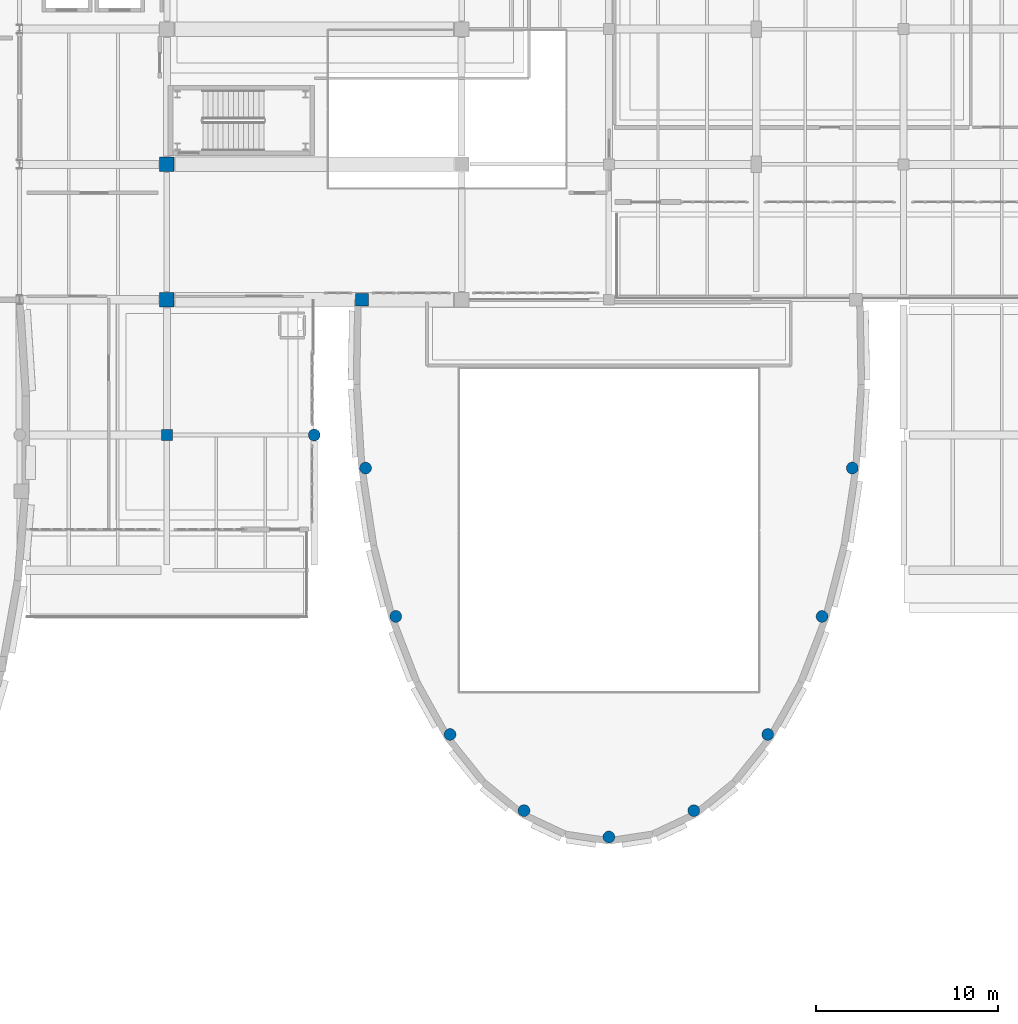
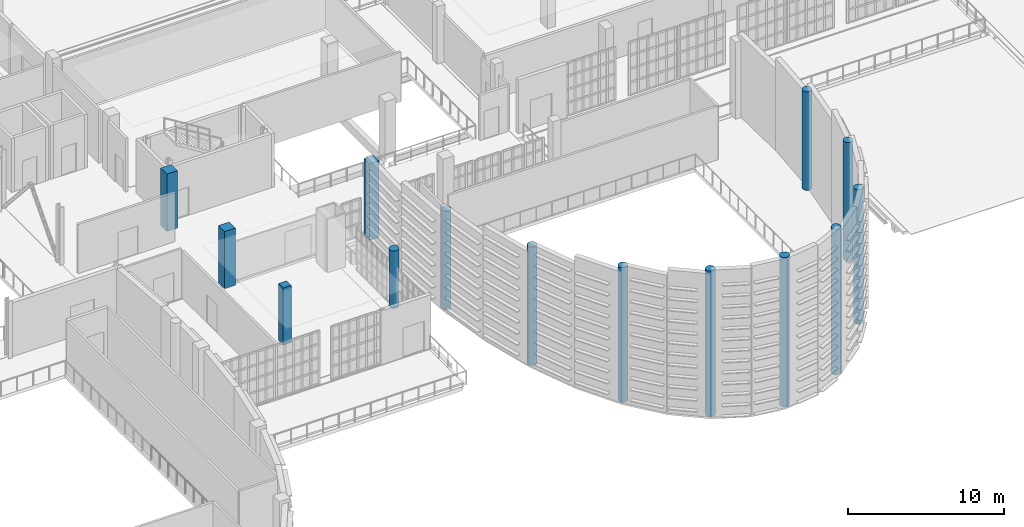
# One storey, part 3 of 73: 14 columns.
"""IFC4 building model written with IfcOpenShell, lengths in metres."""

from ifc_helpers import new_model, si_unit, direction, frame, origin, origin_2d, place, context, subcontext, project, spatial, rectangle, circle, extrude, material, material_profile, profile_set, type_object, element, save


model = new_model("IFC4")

# Units and contexts
model_context = context("Model", 3, precision=1e-05, world=origin(), true_north=direction((0.0, 1.0)))
body_context = subcontext(model_context, "Body", "Model", "MODEL_VIEW")
ifc_project = project(units=[si_unit("LENGTHUNIT", "METRE"), si_unit("AREAUNIT", "SQUARE_METRE"), si_unit("VOLUMEUNIT", "CUBIC_METRE"), si_unit("PLANEANGLEUNIT", "RADIAN"), si_unit("MASSUNIT", "GRAM", prefix="KILO")], contexts=[model_context])

# Site, building, storey
site_placement = place(None, origin())
site = spatial("IfcSite", under=ifc_project, at=site_placement, CompositionType="ELEMENT")
building_placement = place(site_placement, origin())
building = spatial("IfcBuilding", under=site, at=building_placement, Name="Kaelora Sail Theatre", CompositionType="ELEMENT")
storey_placement = place(building_placement, frame((0.0, 0.0, 10.199951171875)))
storey = spatial("IfcBuildingStorey", under=building, at=storey_placement, Name="L02", CompositionType="ELEMENT", Elevation=10.199951171875)

# Columns
ifc_material_1 = material(Name="Concrete C40/50", Category="concrete")
ifc_material_profile_1 = material_profile(ifc_material_1, rectangle(XDim=0.60009765625, YDim=0.60009765625, at=origin_2d()), Name="RC-COL 600x600")
ifc_profile_set_1 = profile_set([ifc_material_profile_1], Name="Concrete C40/50")
column_type_1 = type_object("IfcColumnType", Name="STR-COL-C-RC600", PredefinedType="COLUMN", material=ifc_profile_set_1)
column_1_placement = place(storey_placement, frame((66.300048828125, 53.580078125, 0.0), z_axis=(0.0, 0.0, 1.0), x_axis=(1.0, 0.0, 0.0)))
element("IfcColumn", 1, at=column_1_placement, inside=storey, type_object=column_type_1, Name="Column 9/H (L02)", PredefinedType="COLUMN", context=body_context, shape_type="SweptSolid", body=[
    extrude(rectangle(XDim=0.60009765625, YDim=0.60009765625, at=origin_2d()), origin(), (0.0, 0.0, 1.0), 4.5),
])
ifc_material_2 = material(Name="Concrete C45/55", Category="concrete")
ifc_material_profile_2 = material_profile(ifc_material_2, rectangle(XDim=0.699951171875, YDim=0.699951171875, at=origin_2d()), Name="RC-COL 700x700")
ifc_profile_set_2 = profile_set([ifc_material_profile_2], Name="Concrete C45/55")
column_type_2 = type_object("IfcColumnType", Name="STR-COL-C-RC700", PredefinedType="COLUMN", material=ifc_profile_set_2)
column_2_placement = place(storey_placement, frame((77.02001953125, 61.02001953125, 0.0), z_axis=(0.0, 0.0, 1.0), x_axis=(1.0, 0.0, 0.0)))
element("IfcColumn", 2, at=column_2_placement, inside=storey, type_object=column_type_2, Name="Studio Theatre north corner column NW (L02)", PredefinedType="COLUMN", context=body_context, shape_type="SweptSolid", body=[
    extrude(rectangle(XDim=0.699951171875, YDim=0.699951171875, at=origin_2d()), origin(), (0.0, 0.0, 1.0), 6.025146484375),
])
ifc_material_3 = material(Name="Concrete C50/60", Category="concrete")
ifc_material_profile_3 = material_profile(ifc_material_3, rectangle(XDim=0.800048828125, YDim=0.800048828125, at=origin_2d()), Name="RC-COL 800x800")
ifc_profile_set_3 = profile_set([ifc_material_profile_3], Name="Concrete C50/60")
column_type_3 = type_object("IfcColumnType", Name="STR-COL-C-RC800", PredefinedType="COLUMN", material=ifc_profile_set_3)
for number, where, z_axis, x_axis, name in (
    (3, (66.300048828125, 61.02001953125, 0.0), (0.0, 0.0, 1.0), (1.0, 0.0, 0.0), "Column 9/I (L02)"),
    (4, (66.300048828125, 68.4599609375, 0.0), (0.0, 0.0, 1.0), (1.0, 0.0, 0.0), "Column 9/J (L02)"),
):
    element("IfcColumn", number, at=place(storey_placement, frame(where, z_axis=z_axis, x_axis=x_axis)), inside=storey, type_object=column_type_3, Name=name, PredefinedType="COLUMN", context=body_context, shape_type="SweptSolid", body=[
        extrude(rectangle(XDim=0.800048828125, YDim=0.800048828125, at=origin_2d()), origin(), (0.0, 0.0, 1.0), 4.5),
    ])
ifc_material_4 = material(Name="Concrete C45/55", Category="concrete")
ifc_material_profile_4 = material_profile(ifc_material_4, circle(Radius=0.324951171875, at=origin_2d()), Name="RC-CCOL D650")
ifc_profile_set_4 = profile_set([ifc_material_profile_4], Name="Concrete C45/55")
column_type_4 = type_object("IfcColumnType", Name="STR-COL-C-RCD650", PredefinedType="COLUMN", material=ifc_profile_set_4)
column_3_placement = place(storey_placement, frame((74.39990234375, 53.580078125, 0.0), z_axis=(0.0, 0.0, 1.0), x_axis=(1.0, 0.0, 0.0)))
element("IfcColumn", 5, at=column_3_placement, inside=storey, type_object=column_type_4, Name="Column 10/H (L02)", PredefinedType="COLUMN", context=body_context, shape_type="SweptSolid", body=[
    extrude(circle(Radius=0.324951171875, at=origin_2d()), origin(), (0.0, 0.0, 1.0), 4.5),
])
column_4_placement = place(storey_placement, frame((103.98291015625, 51.76416015625, 0.0), z_axis=(0.0, 0.0, 1.0), x_axis=(1.0, 0.0, 0.0)))
element("IfcColumn", 6, at=column_4_placement, inside=storey, type_object=column_type_4, Name="Studio Theatre drum column K02 (L02)", PredefinedType="COLUMN", context=body_context, shape_type="SweptSolid", body=[
    extrude(circle(Radius=0.324951171875, at=origin_2d()), origin(), (0.0, 0.0, 1.0), 7.726806640625),
])
column_5_placement = place(storey_placement, frame((102.3193359375, 43.604736328125, 0.0), z_axis=(0.0, 0.0, 1.0), x_axis=(1.0, 0.0, 0.0)))
element("IfcColumn", 7, at=column_5_placement, inside=storey, type_object=column_type_4, Name="Studio Theatre drum column K04 (L02)", PredefinedType="COLUMN", context=body_context, shape_type="SweptSolid", body=[
    extrude(circle(Radius=0.324951171875, at=origin_2d()), origin(), (0.0, 0.0, 1.0), 9.282470703125),
])
column_6_placement = place(storey_placement, frame((99.334716796875, 37.115234375, 0.0), z_axis=(0.0, 0.0, 1.0), x_axis=(1.0, 0.0, 0.0)))
element("IfcColumn", 8, at=column_6_placement, inside=storey, type_object=column_type_4, Name="Studio Theatre drum column K06 (L02)", PredefinedType="COLUMN", context=body_context, shape_type="SweptSolid", body=[
    extrude(circle(Radius=0.324951171875, at=origin_2d()), origin(), (0.0, 0.0, 1.0), 10.56884765625),
])
column_7_placement = place(storey_placement, frame((95.26953125, 32.9267578125, 0.0), z_axis=(0.0, 0.0, 1.0), x_axis=(1.0, 0.0, 0.0)))
element("IfcColumn", 9, at=column_7_placement, inside=storey, type_object=column_type_4, Name="Studio Theatre drum column K08 (L02)", PredefinedType="COLUMN", context=body_context, shape_type="SweptSolid", body=[
    extrude(circle(Radius=0.324951171875, at=origin_2d()), origin(), (0.0, 0.0, 1.0), 11.424560546875),
])
column_8_placement = place(storey_placement, frame((90.60009765625, 31.47998046875, 0.0), z_axis=(0.0, 0.0, 1.0), x_axis=(1.0, 0.0, 0.0)))
element("IfcColumn", 10, at=column_8_placement, inside=storey, type_object=column_type_4, Name="Studio Theatre drum column K10 (L02)", PredefinedType="COLUMN", context=body_context, shape_type="SweptSolid", body=[
    extrude(circle(Radius=0.324951171875, at=origin_2d()), origin(), (0.0, 0.0, 1.0), 11.72021484375),
])
column_9_placement = place(storey_placement, frame((85.930419921875, 32.9267578125, 0.0), z_axis=(0.0, 0.0, 1.0), x_axis=(1.0, 0.0, 0.0)))
element("IfcColumn", 11, at=column_9_placement, inside=storey, type_object=column_type_4, Name="Studio Theatre drum column K12 (L02)", PredefinedType="COLUMN", context=body_context, shape_type="SweptSolid", body=[
    extrude(circle(Radius=0.324951171875, at=origin_2d()), origin(), (0.0, 0.0, 1.0), 11.424560546875),
])
column_10_placement = place(storey_placement, frame((81.865478515625, 37.115234375, 0.0), z_axis=(0.0, 0.0, 1.0), x_axis=(1.0, 0.0, 0.0)))
element("IfcColumn", 12, at=column_10_placement, inside=storey, type_object=column_type_4, Name="Studio Theatre drum column K14 (L02)", PredefinedType="COLUMN", context=body_context, shape_type="SweptSolid", body=[
    extrude(circle(Radius=0.324951171875, at=origin_2d()), origin(), (0.0, 0.0, 1.0), 10.56884765625),
])
column_11_placement = place(storey_placement, frame((78.880615234375, 43.604736328125, 0.0), z_axis=(0.0, 0.0, 1.0), x_axis=(1.0, 0.0, 0.0)))
element("IfcColumn", 13, at=column_11_placement, inside=storey, type_object=column_type_4, Name="Studio Theatre drum column K16 (L02)", PredefinedType="COLUMN", context=body_context, shape_type="SweptSolid", body=[
    extrude(circle(Radius=0.324951171875, at=origin_2d()), origin(), (0.0, 0.0, 1.0), 9.282470703125),
])
column_12_placement = place(storey_placement, frame((77.217041015625, 51.76416015625, 0.0), z_axis=(0.0, 0.0, 1.0), x_axis=(1.0, 0.0, 0.0)))
element("IfcColumn", 14, at=column_12_placement, inside=storey, type_object=column_type_4, Name="Studio Theatre drum column K18 (L02)", PredefinedType="COLUMN", context=body_context, shape_type="SweptSolid", body=[
    extrude(circle(Radius=0.324951171875, at=origin_2d()), origin(), (0.0, 0.0, 1.0), 7.726806640625),
])

save(model, "model.ifc")
